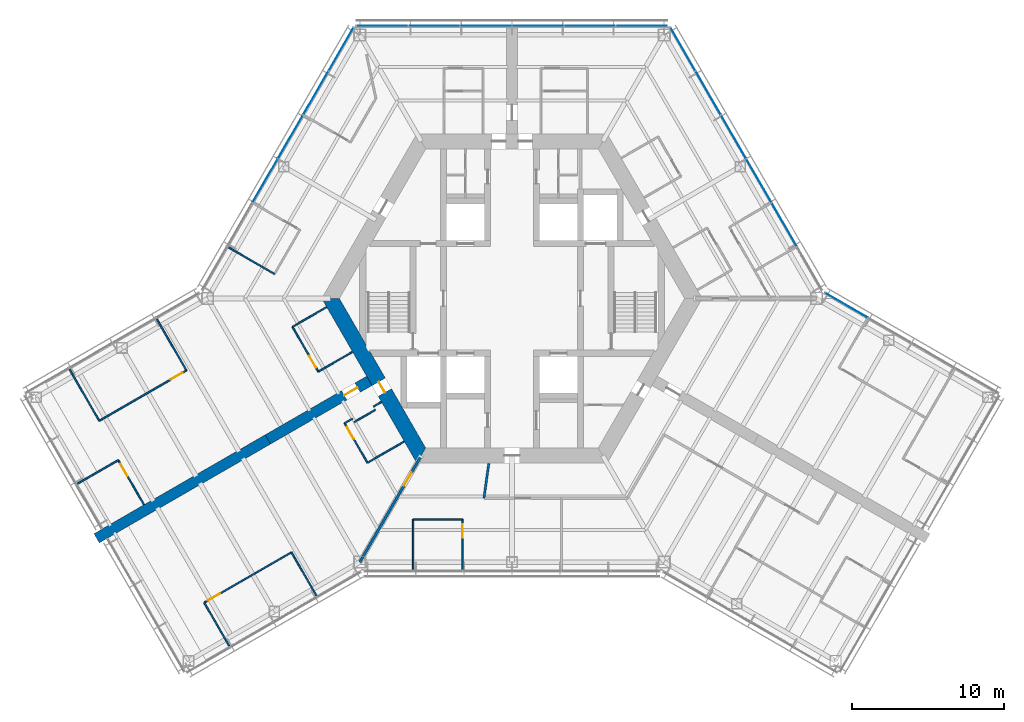
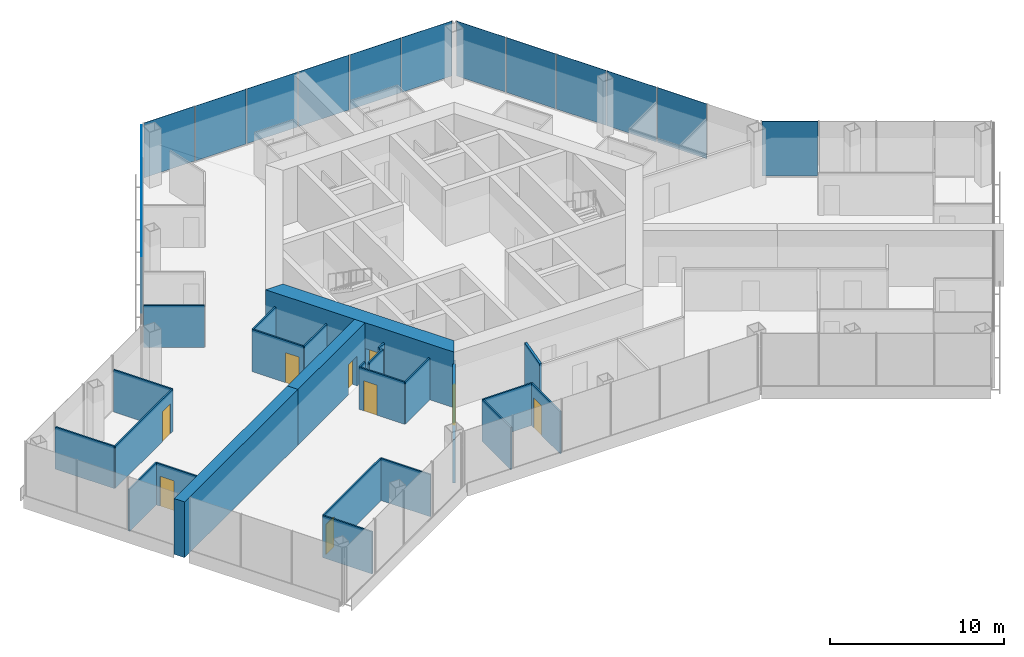
# One storey, part 11 of 18: 25 walls, 16 plates, 9 doors, 9 openings, 4 elements without a shape of their own.
"""IFC4 building model written with IfcOpenShell, lengths in metres."""

from ifc_helpers import new_model, si_unit, direction, frame, frame_2d, origin, origin_2d, place, context, subcontext, project, spatial, polyline, rectangle, outline, extrude, material, layer, layer_set, type_object, element, fill, aggregate, save


model = new_model("IFC4")

# Units and contexts
model_context = context("Model", 3, precision=1e-05, world=origin(), true_north=direction((0.0, 1.0)))
body_context = subcontext(model_context, "Body", "Model", "MODEL_VIEW")
ifc_project = project(units=[si_unit("LENGTHUNIT", "METRE"), si_unit("AREAUNIT", "SQUARE_METRE"), si_unit("VOLUMEUNIT", "CUBIC_METRE"), si_unit("PLANEANGLEUNIT", "RADIAN"), si_unit("MASSUNIT", "GRAM", prefix="KILO")], contexts=[model_context])

# Site, building, storey
site_placement = place(None, origin())
site = spatial("IfcSite", under=ifc_project, at=site_placement, CompositionType="ELEMENT")
building_placement = place(site_placement, origin())
building = spatial("IfcBuilding", under=site, at=building_placement, Name="Kasaneha Research Tower", CompositionType="ELEMENT")
storey_placement = place(building_placement, frame((0.0, 0.0, 168.199951171875)))
storey = spatial("IfcBuildingStorey", under=building, at=storey_placement, Name="L42", CompositionType="ELEMENT", Elevation=168.199951171875)

# Curtain wall, plate
ifc_material_1 = material(Name="Glass and aluminium", Category="aluminium")
curtain_wall_type = type_object("IfcCurtainWallType", Name="Mid-rise office curtain wall", PredefinedType="USERDEFINED", material=ifc_material_1)
curtain_wall_1_placement = place(storey_placement, origin())
curtain_wall_1 = element("IfcCurtainWall", 1, at=curtain_wall_1_placement, inside=storey, type_object=curtain_wall_type, Name="CW-O2 L42 run 05a", ObjectType="UNITISED CURTAIN WALL", PredefinedType="USERDEFINED")
ifc_material_2 = material(Name="Laminated double glazing", Category="glass")
ifc_layer_1 = layer(ifc_material_2, 0.02587890625)
ifc_layer_set_1 = layer_set([ifc_layer_1], Name="CW-O2 glazed panel")
plate_type = type_object("IfcPlateType", Name="CW-O2 glazed panel", PredefinedType="CURTAIN_PANEL", material=ifc_layer_set_1)
plate_1_placement = place(storey_placement, frame((21.971923828125, -0.44580078125, 0.06005859375), z_axis=(0.0, 0.0, 1.0), x_axis=(-0.866025411464, 0.499999986699, 0.0)))
plate_1 = element("IfcPlate", 2, at=plate_1_placement, type_object=plate_type, Name="CW-O2 panel 4", PredefinedType="CURTAIN_PANEL", context=body_context, shape_type="SweptSolid", body=[
    extrude(rectangle(XDim=3.2197265625, YDim=0.02587890625, at=origin_2d()), origin(), (0.0, 0.0, 1.0), 3.840087890625),
])
aggregate(curtain_wall_1, [plate_1])

# Curtain wall, plates
curtain_wall_2_placement = place(storey_placement, origin())
curtain_wall_2 = element("IfcCurtainWall", 3, at=curtain_wall_2_placement, inside=storey, type_object=curtain_wall_type, Name="CW-O2 L42 run 06a", ObjectType="UNITISED CURTAIN WALL", PredefinedType="USERDEFINED")
plate_2_placement = place(storey_placement, frame((17.89111328125, 4.852783203125, 0.06005859375), z_axis=(0.0, 0.0, 1.0), x_axis=(-0.499999979232, 0.866025415775, 0.0)))
plate_2 = element("IfcPlate", 4, at=plate_2_placement, type_object=plate_type, Name="CW-O2 panel 2", PredefinedType="CURTAIN_PANEL", context=body_context, shape_type="SweptSolid", body=[
    extrude(rectangle(XDim=3.27099609375, YDim=0.02587890625, at=origin_2d()), origin(), (0.0, 0.0, 1.0), 3.840087890625),
])
plate_3_placement = place(storey_placement, frame((16.2255859375, 7.737548828125, 0.06005859375), z_axis=(0.0, 0.0, 1.0), x_axis=(-0.499999979232, 0.866025415775, 0.0)))
plate_3 = element("IfcPlate", 5, at=plate_3_placement, type_object=plate_type, Name="CW-O2 panel 3", PredefinedType="CURTAIN_PANEL", context=body_context, shape_type="SweptSolid", body=[
    extrude(rectangle(XDim=3.27099609375, YDim=0.02587890625, at=origin_2d()), origin(), (0.0, 0.0, 1.0), 3.840087890625),
])
plate_4_placement = place(storey_placement, frame((14.56005859375, 10.622314453125, 0.06005859375), z_axis=(0.0, 0.0, 1.0), x_axis=(-0.499999979232, 0.866025415775, 0.0)))
plate_4 = element("IfcPlate", 6, at=plate_4_placement, type_object=plate_type, Name="CW-O2 panel 4", PredefinedType="CURTAIN_PANEL", context=body_context, shape_type="SweptSolid", body=[
    extrude(rectangle(XDim=3.27099609375, YDim=0.02587890625, at=origin_2d()), origin(), (0.0, 0.0, 1.0), 3.840087890625),
])
plate_5_placement = place(storey_placement, frame((12.89453125, 13.5068359375, 0.06005859375), z_axis=(0.0, 0.0, 1.0), x_axis=(-0.499999979232, 0.866025415775, 0.0)))
plate_5 = element("IfcPlate", 7, at=plate_5_placement, type_object=plate_type, Name="CW-O2 panel 5", PredefinedType="CURTAIN_PANEL", context=body_context, shape_type="SweptSolid", body=[
    extrude(rectangle(XDim=3.27099609375, YDim=0.02587890625, at=origin_2d()), origin(), (0.0, 0.0, 1.0), 3.840087890625),
])
plate_6_placement = place(storey_placement, frame((11.236572265625, 16.378662109375, 0.06005859375), z_axis=(0.0, 0.0, 1.0), x_axis=(-0.499999979232, 0.866025415775, 0.0)))
plate_6 = element("IfcPlate", 8, at=plate_6_placement, type_object=plate_type, Name="CW-O2 panel 6", PredefinedType="CURTAIN_PANEL", context=body_context, shape_type="SweptSolid", body=[
    extrude(rectangle(XDim=3.240966796875, YDim=0.02587890625, at=origin_2d()), origin(), (0.0, 0.0, 1.0), 3.840087890625),
])
aggregate(curtain_wall_2, [plate_2, plate_3, plate_4, plate_5, plate_6])

curtain_wall_3_placement = place(storey_placement, origin())
curtain_wall_3 = element("IfcCurtainWall", 9, at=curtain_wall_3_placement, inside=storey, type_object=curtain_wall_type, Name="CW-O2 L42 run 07a", ObjectType="UNITISED CURTAIN WALL", PredefinedType="USERDEFINED")
plate_7_placement = place(storey_placement, frame((8.523681640625, 17.92041015625, 0.06005859375), z_axis=(0.0, 0.0, 1.0), x_axis=(-1.0, 0.0, 0.0)))
plate_7 = element("IfcPlate", 10, at=plate_7_placement, type_object=plate_type, Name="CW-O2 panel 1", PredefinedType="CURTAIN_PANEL", context=body_context, shape_type="SweptSolid", body=[
    extrude(rectangle(XDim=3.325439453125, YDim=0.02587890625, at=origin_2d()), origin(), (0.0, 0.0, 1.0), 3.840087890625),
])
plate_8_placement = place(storey_placement, frame((5.123291015625, 17.92041015625, 0.06005859375), z_axis=(0.0, 0.0, 1.0), x_axis=(-1.0, 0.0, 0.0)))
plate_8 = element("IfcPlate", 11, at=plate_8_placement, type_object=plate_type, Name="CW-O2 panel 2", PredefinedType="CURTAIN_PANEL", context=body_context, shape_type="SweptSolid", body=[
    extrude(rectangle(XDim=3.35546875, YDim=0.02587890625, at=origin_2d()), origin(), (0.0, 0.0, 1.0), 3.840087890625),
])
plate_9_placement = place(storey_placement, frame((1.707763671875, 17.92041015625, 0.06005859375), z_axis=(0.0, 0.0, 1.0), x_axis=(-1.0, 0.0, 0.0)))
plate_9 = element("IfcPlate", 12, at=plate_9_placement, type_object=plate_type, Name="CW-O2 panel 3", PredefinedType="CURTAIN_PANEL", context=body_context, shape_type="SweptSolid", body=[
    extrude(rectangle(XDim=3.35546875, YDim=0.02587890625, at=origin_2d()), origin(), (0.0, 0.0, 1.0), 3.840087890625),
])
plate_10_placement = place(storey_placement, frame((-1.707763671875, 17.92041015625, 0.06005859375), z_axis=(0.0, 0.0, 1.0), x_axis=(-1.0, 0.0, 0.0)))
plate_10 = element("IfcPlate", 13, at=plate_10_placement, type_object=plate_type, Name="CW-O2 panel 4", PredefinedType="CURTAIN_PANEL", context=body_context, shape_type="SweptSolid", body=[
    extrude(rectangle(XDim=3.35546875, YDim=0.02587890625, at=origin_2d()), origin(), (0.0, 0.0, 1.0), 3.840087890625),
])
plate_11_placement = place(storey_placement, frame((-5.123291015625, 17.92041015625, 0.06005859375), z_axis=(0.0, 0.0, 1.0), x_axis=(-1.0, 0.0, 0.0)))
plate_11 = element("IfcPlate", 14, at=plate_11_placement, type_object=plate_type, Name="CW-O2 panel 5", PredefinedType="CURTAIN_PANEL", context=body_context, shape_type="SweptSolid", body=[
    extrude(rectangle(XDim=3.35546875, YDim=0.02587890625, at=origin_2d()), origin(), (0.0, 0.0, 1.0), 3.840087890625),
])
plate_12_placement = place(storey_placement, frame((-8.523681640625, 17.92041015625, 0.06005859375), z_axis=(0.0, 0.0, 1.0), x_axis=(-1.0, 0.0, 0.0)))
plate_12 = element("IfcPlate", 15, at=plate_12_placement, type_object=plate_type, Name="CW-O2 panel 6", PredefinedType="CURTAIN_PANEL", context=body_context, shape_type="SweptSolid", body=[
    extrude(rectangle(XDim=3.325439453125, YDim=0.02587890625, at=origin_2d()), origin(), (0.0, 0.0, 1.0), 3.840087890625),
])
aggregate(curtain_wall_3, [plate_7, plate_8, plate_9, plate_10, plate_11, plate_12])

curtain_wall_4_placement = place(storey_placement, origin())
curtain_wall_4 = element("IfcCurtainWall", 16, at=curtain_wall_4_placement, inside=storey, type_object=curtain_wall_type, Name="CW-O2 L42 run 08a", ObjectType="UNITISED CURTAIN WALL", PredefinedType="USERDEFINED")
plate_13_placement = place(storey_placement, frame((-11.236572265625, 16.378662109375, 0.06005859375), z_axis=(0.0, 0.0, 1.0), x_axis=(-0.499999979232, -0.866025415775, 0.0)))
plate_13 = element("IfcPlate", 17, at=plate_13_placement, type_object=plate_type, Name="CW-O2 panel 1", PredefinedType="CURTAIN_PANEL", context=body_context, shape_type="SweptSolid", body=[
    extrude(rectangle(XDim=3.240966796875, YDim=0.02587890625, at=origin_2d()), origin(), (0.0, 0.0, 1.0), 3.840087890625),
])
plate_14_placement = place(storey_placement, frame((-12.89453125, 13.5068359375, 0.06005859375), z_axis=(0.0, 0.0, 1.0), x_axis=(-0.499999979232, -0.866025415775, 0.0)))
plate_14 = element("IfcPlate", 18, at=plate_14_placement, type_object=plate_type, Name="CW-O2 panel 2", PredefinedType="CURTAIN_PANEL", context=body_context, shape_type="SweptSolid", body=[
    extrude(rectangle(XDim=3.27099609375, YDim=0.02587890625, at=origin_2d()), origin(), (0.0, 0.0, 1.0), 3.840087890625),
])
plate_15_placement = place(storey_placement, frame((-14.56005859375, 10.622314453125, 0.06005859375), z_axis=(0.0, 0.0, 1.0), x_axis=(-0.499999979232, -0.866025415775, 0.0)))
plate_15 = element("IfcPlate", 19, at=plate_15_placement, type_object=plate_type, Name="CW-O2 panel 3", PredefinedType="CURTAIN_PANEL", context=body_context, shape_type="SweptSolid", body=[
    extrude(rectangle(XDim=3.27099609375, YDim=0.02587890625, at=origin_2d()), origin(), (0.0, 0.0, 1.0), 3.840087890625),
])
plate_16_placement = place(storey_placement, frame((-16.2255859375, 7.737548828125, 0.06005859375), z_axis=(0.0, 0.0, 1.0), x_axis=(-0.499999979232, -0.866025415775, 0.0)))
plate_16 = element("IfcPlate", 20, at=plate_16_placement, type_object=plate_type, Name="CW-O2 panel 4", PredefinedType="CURTAIN_PANEL", context=body_context, shape_type="SweptSolid", body=[
    extrude(rectangle(XDim=3.27099609375, YDim=0.02587890625, at=origin_2d()), origin(), (0.0, 0.0, 1.0), 3.840087890625),
])
aggregate(curtain_wall_4, [plate_13, plate_14, plate_15, plate_16])

# Wall, opening, door
ifc_material_3 = material(Name="Concrete Fc70", Category="concrete")
ifc_layer_2 = layer(ifc_material_3, 1.0)
ifc_layer_set_2 = layer_set([ifc_layer_2], Name="Core wall 1000 Fc70")
wall_type_1 = type_object("IfcWallType", Name="Core wall 1000 Fc70", PredefinedType="SHEAR", material=ifc_layer_set_2)
wall_1_placement = place(storey_placement, frame((-11.92236328125, 0.0, 0.0), z_axis=(0.0, 0.0, 1.0), x_axis=(0.500004296715, -0.866022923061, 0.0)))
wall_1 = element("IfcWall", 21, at=wall_1_placement, inside=storey, type_object=wall_type_1, Name="Core wall 210 L42", PredefinedType="SHEAR", context=body_context, shape_type="SweptSolid", body=[
    extrude(outline(polyline([(-0.28857421875, -0.5), (6.3310546875, -0.5), (7.131103515625, -0.5), (12.2109375, -0.5), (11.6337890625, 0.5), (7.131103515625, 0.5), (6.3310546875, 0.5), (0.28857421875, 0.5), (-0.28857421875, -0.5)])), origin(), (0.0, 0.0, 1.0), 3.900146484375),
])
opening_1_placement = place(wall_1_placement, frame((6.3310546875, 0.0, 0.0)))
opening_1 = element("IfcOpeningElement", 22, at=opening_1_placement, cuts=wall_1, Name="Opening L42-D06", PredefinedType="OPENING", context=body_context, shape_type="SweptSolid", body=[
    extrude(rectangle(XDim=0.800048828125, YDim=2.10009765625, at=frame_2d((0.39990234375, 1.050048828125))), frame((0.0, 0.510009765625, 0.0), z_axis=(0.0, -1.0, 0.0), x_axis=(1.0, 0.0, 0.0)), (0.0, 0.0, 1.0), 1.02001953125),
])
ifc_material_4 = material(Name="Steel", Category="steel")
door_type_1 = type_object("IfcDoorType", Name="Riser access door FD60 800x2100", OperationType="NOTDEFINED", PredefinedType="DOOR", material=ifc_material_4)
door_1_placement = place(opening_1_placement, origin())
door_1 = element("IfcDoor", 23, at=door_1_placement, inside=storey, type_object=door_type_1, Name="Duct riser door L42-D06", OperationType="SINGLE_SWING_RIGHT", OverallHeight=2.10009765625, OverallWidth=0.800048828125, PredefinedType="DOOR", context=body_context, shape_type="SweptSolid", body=[
    extrude(rectangle(XDim=0.800048828125, YDim=2.10009765625, at=frame_2d((0.39990234375, 1.050048828125))), frame((0.0, 0.02490234375, 0.0), z_axis=(0.0, -1.0, 0.0), x_axis=(1.0, 0.0, 0.0)), (0.0, 0.0, 1.0), 0.050048828125),
])
fill(opening_1, door_1)

# Walls
ifc_material_5 = material(Name="Gypsum board on steel studs, one layer each side", Category="steel")
ifc_layer_3 = layer(ifc_material_5, 0.10009765625)
ifc_layer_set_3 = layer_set([ifc_layer_3], Name="Office partition 100")
wall_type_2 = type_object("IfcWallType", Name="Office partition 100", PredefinedType="PARTITIONING", material=ifc_layer_set_3)
wall_2_placement = place(storey_placement, frame((-15.606201171875, 1.610595703125, 0.0), z_axis=(0.0, 0.0, 1.0), x_axis=(-0.86601968407, 0.500009906705, 0.0)))
element("IfcWall", 24, at=wall_2_placement, inside=storey, type_object=wall_type_2, Name="Office partition FBN05 L42", PredefinedType="PARTITIONING", context=body_context, shape_type="SweptSolid", body=[
    extrude(rectangle(XDim=3.47998046875, YDim=0.10009765625, at=frame_2d((1.739990234375, 0.0))), origin(), (0.0, 0.0, 1.0), 2.949951171875),
])
wall_3_placement = place(storey_placement, frame((-27.125, -8.03955078125, 0.0), z_axis=(0.0, 0.0, 1.0), x_axis=(-0.499978621081, 0.866037746557, 0.0)))
element("IfcWall", 25, at=wall_3_placement, inside=storey, type_object=wall_type_2, Name="Office partition FBN07 L42", PredefinedType="PARTITIONING", context=body_context, shape_type="SweptSolid", body=[
    extrude(rectangle(XDim=3.905029296875, YDim=0.10009765625, at=frame_2d((1.95263671875, 0.0))), origin(), (0.0, 0.0, 1.0), 2.949951171875),
])
wall_4_placement = place(storey_placement, frame((-23.332275390625, -1.36962890625, 0.0), z_axis=(0.0, 0.0, 1.0), x_axis=(0.500043804875, -0.866000111551, 0.0)))
element("IfcWall", 26, at=wall_4_placement, inside=storey, type_object=wall_type_2, Name="Office partition FBN08 L42", PredefinedType="PARTITIONING", context=body_context, shape_type="SweptSolid", body=[
    extrude(rectangle(XDim=3.880126953125, YDim=0.10009765625, at=frame_2d((1.93994140625, 0.0))), origin(), (0.0, 0.0, 1.0), 2.949951171875),
])

# Wall, opening, door
wall_5_placement = place(storey_placement, frame((-21.39208984375, -4.729736328125, 0.0), z_axis=(0.0, 0.0, 1.0), x_axis=(-0.866030817826, -0.499990622488, 0.0)))
wall_5 = element("IfcWall", 27, at=wall_5_placement, inside=storey, type_object=wall_type_2, Name="Office partition FBN09 L42", PredefinedType="PARTITIONING", context=body_context, shape_type="SweptSolid", body=[
    extrude(rectangle(XDim=6.619873046875, YDim=0.10009765625, at=frame_2d((3.31005859375, 0.0))), origin(), (0.0, 0.0, 1.0), 2.949951171875),
])
opening_2_placement = place(wall_5_placement, frame((0.300048828125, 0.0, 0.0)))
opening_2 = element("IfcOpeningElement", 28, at=opening_2_placement, cuts=wall_5, Name="Opening L42-D37", PredefinedType="OPENING", context=body_context, shape_type="SweptSolid", body=[
    extrude(rectangle(XDim=0.89990234375, YDim=2.10009765625, at=frame_2d((0.449951171875, 1.050048828125))), frame((0.0, 0.06005859375, 0.0), z_axis=(0.0, -1.0, 0.0), x_axis=(1.0, 0.0, 0.0)), (0.0, 0.0, 1.0), 0.1201171875),
])
ifc_material_6 = material(Name="Timber veneer", Category="wood")
door_type_2 = type_object("IfcDoorType", Name="Office door 900x2100", OperationType="SINGLE_SWING_LEFT", PredefinedType="DOOR", material=ifc_material_6)
door_2_placement = place(opening_2_placement, origin())
door_2 = element("IfcDoor", 29, at=door_2_placement, inside=storey, type_object=door_type_2, Name="Meeting room door L42-D37", OperationType="SINGLE_SWING_LEFT", OverallHeight=2.10009765625, OverallWidth=0.89990234375, PredefinedType="DOOR", context=body_context, shape_type="SweptSolid", body=[
    extrude(rectangle(XDim=0.89990234375, YDim=2.10009765625, at=frame_2d((0.449951171875, 1.050048828125))), frame((0.0, 0.02490234375, 0.0), z_axis=(0.0, -1.0, 0.0), x_axis=(1.0, 0.0, 0.0)), (0.0, 0.0, 1.0), 0.050048828125),
])
fill(opening_2, door_2)

# Wall
wall_6_placement = place(storey_placement, frame((-14.426513671875, -1.86279296875, 0.0), z_axis=(0.0, 0.0, 1.0), x_axis=(0.866045356598, 0.49996543912, 0.0)))
element("IfcWall", 30, at=wall_6_placement, inside=storey, type_object=wall_type_2, Name="Office partition FBN10 L42", PredefinedType="PARTITIONING", context=body_context, shape_type="SweptSolid", body=[
    extrude(rectangle(XDim=2.580322265625, YDim=0.10009765625, at=frame_2d((1.2900390625, 0.0))), origin(), (0.0, 0.0, 1.0), 2.949951171875),
])

# Wall, opening, door
wall_7_placement = place(storey_placement, frame((-12.726318359375, -4.80712890625, 0.0), z_axis=(0.0, 0.0, 1.0), x_axis=(-0.500062241894, 0.865989465428, 0.0)))
wall_7 = element("IfcWall", 31, at=wall_7_placement, inside=storey, type_object=wall_type_2, Name="Office partition FBN11 L42", PredefinedType="PARTITIONING", context=body_context, shape_type="SweptSolid", body=[
    extrude(rectangle(XDim=3.39990234375, YDim=0.10009765625, at=frame_2d((1.699951171875, 0.0))), origin(), (0.0, 0.0, 1.0), 2.949951171875),
])
opening_3_placement = place(wall_7_placement, frame((0.300048828125, 0.0, 0.0)))
opening_3 = element("IfcOpeningElement", 32, at=opening_3_placement, cuts=wall_7, Name="Opening L42-D38", PredefinedType="OPENING", context=body_context, shape_type="SweptSolid", body=[
    extrude(rectangle(XDim=0.89990234375, YDim=2.10009765625, at=frame_2d((0.449951171875, 1.050048828125))), frame((0.0, 0.06005859375, 0.0), z_axis=(0.0, -1.0, 0.0), x_axis=(1.0, 0.0, 0.0)), (0.0, 0.0, 1.0), 0.1201171875),
])
door_3_placement = place(opening_3_placement, origin())
door_3 = element("IfcDoor", 33, at=door_3_placement, inside=storey, type_object=door_type_2, Name="Phone room door L42-D38", OperationType="SINGLE_SWING_LEFT", OverallHeight=2.10009765625, OverallWidth=0.89990234375, PredefinedType="DOOR", context=body_context, shape_type="SweptSolid", body=[
    extrude(rectangle(XDim=0.89990234375, YDim=2.10009765625, at=frame_2d((0.449951171875, 1.050048828125))), frame((0.0, 0.02490234375, 0.0), z_axis=(0.0, -1.0, 0.0), x_axis=(1.0, 0.0, 0.0)), (0.0, 0.0, 1.0), 0.050048828125),
])
fill(opening_3, door_3)

# Walls
wall_8_placement = place(storey_placement, frame((-10.491943359375, -3.51708984375, 0.0), z_axis=(0.0, 0.0, 1.0), x_axis=(-0.866021702275, -0.500006411147, 0.0)))
element("IfcWall", 34, at=wall_8_placement, inside=storey, type_object=wall_type_2, Name="Office partition FBN12 L42", PredefinedType="PARTITIONING", context=body_context, shape_type="SweptSolid", body=[
    extrude(rectangle(XDim=2.580078125, YDim=0.10009765625, at=frame_2d((1.2900390625, 0.0))), origin(), (0.0, 0.0, 1.0), 2.949951171875),
])
wall_9_placement = place(storey_placement, frame((-28.5625, -12.1796875, 0.0), z_axis=(0.0, 0.0, 1.0), x_axis=(0.866042875753, 0.499969736442, 0.0)))
element("IfcWall", 35, at=wall_9_placement, inside=storey, type_object=wall_type_2, Name="Office partition FBN13 L42", PredefinedType="PARTITIONING", context=body_context, shape_type="SweptSolid", body=[
    extrude(rectangle(XDim=3.105224609375, YDim=0.10009765625, at=frame_2d((1.552734375, 0.0))), origin(), (0.0, 0.0, 1.0), 2.949951171875),
])

# Wall, opening, door
wall_10_placement = place(storey_placement, frame((-25.873291015625, -10.627197265625, 0.0), z_axis=(0.0, 0.0, 1.0), x_axis=(0.5000115033, -0.866018762249, 0.0)))
wall_10 = element("IfcWall", 36, at=wall_10_placement, inside=storey, type_object=wall_type_2, Name="Office partition FBN14 L42", PredefinedType="PARTITIONING", context=body_context, shape_type="SweptSolid", body=[
    extrude(rectangle(XDim=3.36328125, YDim=0.10009765625, at=frame_2d((1.681640625, 0.0))), origin(), (0.0, 0.0, 1.0), 2.949951171875),
])
opening_4_placement = place(wall_10_placement, frame((0.300048828125, 0.0, 0.0)))
opening_4 = element("IfcOpeningElement", 37, at=opening_4_placement, cuts=wall_10, Name="Opening L42-D39", PredefinedType="OPENING", context=body_context, shape_type="SweptSolid", body=[
    extrude(rectangle(XDim=0.89990234375, YDim=2.10009765625, at=frame_2d((0.449951171875, 1.050048828125))), frame((0.0, 0.06005859375, 0.0), z_axis=(0.0, -1.0, 0.0), x_axis=(1.0, 0.0, 0.0)), (0.0, 0.0, 1.0), 0.1201171875),
])
door_4_placement = place(opening_4_placement, origin())
door_4 = element("IfcDoor", 38, at=door_4_placement, inside=storey, type_object=door_type_2, Name="Workroom door L42-D39", OperationType="SINGLE_SWING_LEFT", OverallHeight=2.10009765625, OverallWidth=0.89990234375, PredefinedType="DOOR", context=body_context, shape_type="SweptSolid", body=[
    extrude(rectangle(XDim=0.89990234375, YDim=2.10009765625, at=frame_2d((0.449951171875, 1.050048828125))), frame((0.0, 0.02490234375, 0.0), z_axis=(0.0, -1.0, 0.0), x_axis=(1.0, 0.0, 0.0)), (0.0, 0.0, 1.0), 0.050048828125),
])
fill(opening_4, door_4)

# Walls
wall_11_placement = place(storey_placement, frame((-10.99951171875, -8.197998046875, 0.0), z_axis=(0.0, 0.0, 1.0), x_axis=(0.866131372301, 0.499816412211, 0.0)))
element("IfcWall", 39, at=wall_11_placement, inside=storey, type_object=wall_type_2, Name="Office partition FBS01 L42", PredefinedType="PARTITIONING", context=body_context, shape_type="SweptSolid", body=[
    extrude(rectangle(XDim=0.599853515625, YDim=0.10009765625, at=frame_2d((0.2998046875, 0.0))), origin(), (0.0, 0.0, 1.0), 2.949951171875),
])
wall_12_placement = place(storey_placement, frame((-10.35498046875, -8.114501953125, 0.0), z_axis=(0.0, 0.0, 1.0), x_axis=(0.866094119867, 0.499880961361, 0.0)))
element("IfcWall", 40, at=wall_12_placement, inside=storey, type_object=wall_type_2, Name="Office partition FBS02 L42", PredefinedType="PARTITIONING", context=body_context, shape_type="SweptSolid", body=[
    extrude(rectangle(XDim=1.60009765625, YDim=0.10009765625, at=frame_2d((0.800048828125, 0.0))), origin(), (0.0, 0.0, 1.0), 2.949951171875),
])

# Wall, opening, door
wall_13_placement = place(storey_placement, frame((-9.49951171875, -10.796142578125, 0.0), z_axis=(0.0, 0.0, 1.0), x_axis=(-0.499990139034, 0.866031096941, 0.0)))
wall_13 = element("IfcWall", 41, at=wall_13_placement, inside=storey, type_object=wall_type_2, Name="Office partition FBS03 L42", PredefinedType="PARTITIONING", context=body_context, shape_type="SweptSolid", body=[
    extrude(rectangle(XDim=3.0, YDim=0.10009765625, at=frame_2d((1.5, 0.0))), origin(), (0.0, 0.0, 1.0), 2.949951171875),
])
opening_5_placement = place(wall_13_placement, frame((1.800048828125, 0.0, 0.0)))
opening_5 = element("IfcOpeningElement", 42, at=opening_5_placement, cuts=wall_13, Name="Opening L42-D40", PredefinedType="OPENING", context=body_context, shape_type="SweptSolid", body=[
    extrude(rectangle(XDim=0.89990234375, YDim=2.10009765625, at=frame_2d((0.449951171875, 1.050048828125))), frame((0.0, 0.06005859375, 0.0), z_axis=(0.0, -1.0, 0.0), x_axis=(1.0, 0.0, 0.0)), (0.0, 0.0, 1.0), 0.1201171875),
])
door_5_placement = place(opening_5_placement, origin())
door_5 = element("IfcDoor", 43, at=door_5_placement, inside=storey, type_object=door_type_2, Name="Pantry door L42-D40", OperationType="SINGLE_SWING_RIGHT", OverallHeight=2.10009765625, OverallWidth=0.89990234375, PredefinedType="DOOR", context=body_context, shape_type="SweptSolid", body=[
    extrude(rectangle(XDim=0.89990234375, YDim=2.10009765625, at=frame_2d((0.449951171875, 1.050048828125))), frame((0.0, 0.02490234375, 0.0), z_axis=(0.0, -1.0, 0.0), x_axis=(1.0, 0.0, 0.0)), (0.0, 0.0, 1.0), 0.050048828125),
])
fill(opening_5, door_5)

# Walls
wall_14_placement = place(storey_placement, frame((-9.09423828125, -7.09814453125, 0.0), z_axis=(0.0, 0.0, 1.0), x_axis=(0.865954211699, 0.50012328804, 0.0)))
element("IfcWall", 44, at=wall_14_placement, inside=storey, type_object=wall_type_2, Name="Office partition FBS04 L42", PredefinedType="PARTITIONING", context=body_context, shape_type="SweptSolid", body=[
    extrude(rectangle(XDim=0.579833984375, YDim=0.10009765625, at=frame_2d((0.2900390625, 0.0))), origin(), (0.0, 0.0, 1.0), 2.949951171875),
])
wall_15_placement = place(storey_placement, frame((-7.092041015625, -9.40625, 0.0), z_axis=(0.0, 0.0, 1.0), x_axis=(-0.86603494908, -0.499983466698, 0.0)))
element("IfcWall", 45, at=wall_15_placement, inside=storey, type_object=wall_type_2, Name="Office partition FBS05 L42", PredefinedType="PARTITIONING", context=body_context, shape_type="SweptSolid", body=[
    extrude(rectangle(XDim=2.77978515625, YDim=0.10009765625, at=frame_2d((1.389892578125, 0.0))), origin(), (0.0, 0.0, 1.0), 2.949951171875),
])

# Wall, opening, door
wall_16_placement = place(storey_placement, frame((-20.22509765625, -19.99072265625, 0.0), z_axis=(0.0, 0.0, 1.0), x_axis=(0.866030817826, 0.499990622488, 0.0)))
wall_16 = element("IfcWall", 46, at=wall_16_placement, inside=storey, type_object=wall_type_2, Name="Office partition FBS06 L42", PredefinedType="PARTITIONING", context=body_context, shape_type="SweptSolid", body=[
    extrude(rectangle(XDim=6.619873046875, YDim=0.10009765625, at=frame_2d((3.31005859375, 0.0))), origin(), (0.0, 0.0, 1.0), 2.949951171875),
])
opening_6_placement = place(wall_16_placement, frame((0.300048828125, 0.0, 0.0)))
opening_6 = element("IfcOpeningElement", 47, at=opening_6_placement, cuts=wall_16, Name="Opening L42-D41", PredefinedType="OPENING", context=body_context, shape_type="SweptSolid", body=[
    extrude(rectangle(XDim=0.89990234375, YDim=2.10009765625, at=frame_2d((0.449951171875, 1.050048828125))), frame((0.0, 0.06005859375, 0.0), z_axis=(0.0, -1.0, 0.0), x_axis=(1.0, 0.0, 0.0)), (0.0, 0.0, 1.0), 0.1201171875),
])
door_6_placement = place(opening_6_placement, origin())
door_6 = element("IfcDoor", 48, at=door_6_placement, inside=storey, type_object=door_type_2, Name="Manager's office door L42-D41", OperationType="SINGLE_SWING_LEFT", OverallHeight=2.10009765625, OverallWidth=0.89990234375, PredefinedType="DOOR", context=body_context, shape_type="SweptSolid", body=[
    extrude(rectangle(XDim=0.89990234375, YDim=2.10009765625, at=frame_2d((0.449951171875, 1.050048828125))), frame((0.0, 0.02490234375, 0.0), z_axis=(0.0, -1.0, 0.0), x_axis=(1.0, 0.0, 0.0)), (0.0, 0.0, 1.0), 0.050048828125),
])
fill(opening_6, door_6)

# Walls
wall_17_placement = place(storey_placement, frame((-18.5849609375, -22.831298828125, 0.0), z_axis=(0.0, 0.0, 1.0), x_axis=(-0.50002956483, 0.866008333849, 0.0)))
element("IfcWall", 49, at=wall_17_placement, inside=storey, type_object=wall_type_2, Name="Office partition FBS07 L42", PredefinedType="PARTITIONING", context=body_context, shape_type="SweptSolid", body=[
    extrude(rectangle(XDim=3.280029296875, YDim=0.10009765625, at=frame_2d((1.64013671875, 0.0))), origin(), (0.0, 0.0, 1.0), 2.949951171875),
])
wall_18_placement = place(storey_placement, frame((-14.4921875, -16.680908203125, 0.0), z_axis=(0.0, 0.0, 1.0), x_axis=(0.500008057651, -0.866020751647, 0.0)))
element("IfcWall", 50, at=wall_18_placement, inside=storey, type_object=wall_type_2, Name="Office partition FBS08 L42", PredefinedType="PARTITIONING", context=body_context, shape_type="SweptSolid", body=[
    extrude(rectangle(XDim=3.30517578125, YDim=0.10009765625, at=frame_2d((1.652587890625, 0.0))), origin(), (0.0, 0.0, 1.0), 2.949951171875),
])
wall_19_placement = place(storey_placement, frame((-6.492919921875, -17.800537109375, 0.0), z_axis=(0.0, 0.0, 1.0), x_axis=(0.0, 1.0, 0.0)))
element("IfcWall", 51, at=wall_19_placement, inside=storey, type_object=wall_type_2, Name="Office partition FCS12 L42", PredefinedType="PARTITIONING", context=body_context, shape_type="SweptSolid", body=[
    extrude(rectangle(XDim=3.280029296875, YDim=0.10009765625, at=frame_2d((1.64013671875, 0.0))), origin(), (0.0, 0.0, 1.0), 2.949951171875),
])
wall_20_placement = place(storey_placement, frame((-6.492919921875, -14.5205078125, 0.0), z_axis=(0.0, 0.0, 1.0), x_axis=(1.0, 0.0, 0.0)))
element("IfcWall", 52, at=wall_20_placement, inside=storey, type_object=wall_type_2, Name="Office partition FCS13 L42", PredefinedType="PARTITIONING", context=body_context, shape_type="SweptSolid", body=[
    extrude(rectangle(XDim=3.24658203125, YDim=0.10009765625, at=frame_2d((1.623291015625, 0.0))), origin(), (0.0, 0.0, 1.0), 2.949951171875),
])

# Wall, opening, door
wall_21_placement = place(storey_placement, frame((-3.246337890625, -14.5205078125, 0.0), z_axis=(0.0, 0.0, 1.0), x_axis=(0.0, -1.0, 0.0)))
wall_21 = element("IfcWall", 53, at=wall_21_placement, inside=storey, type_object=wall_type_2, Name="Office partition FCS14 L42", PredefinedType="PARTITIONING", context=body_context, shape_type="SweptSolid", body=[
    extrude(rectangle(XDim=3.330078125, YDim=0.10009765625, at=frame_2d((1.6650390625, 0.0))), origin(), (0.0, 0.0, 1.0), 2.949951171875),
])
opening_7_placement = place(wall_21_placement, frame((0.300048828125, 0.0, 0.0)))
opening_7 = element("IfcOpeningElement", 54, at=opening_7_placement, cuts=wall_21, Name="Opening L42-D48", PredefinedType="OPENING", context=body_context, shape_type="SweptSolid", body=[
    extrude(rectangle(XDim=0.89990234375, YDim=2.10009765625, at=frame_2d((0.449951171875, 1.050048828125))), frame((0.0, 0.06005859375, 0.0), z_axis=(0.0, -1.0, 0.0), x_axis=(1.0, 0.0, 0.0)), (0.0, 0.0, 1.0), 0.1201171875),
])
door_7_placement = place(opening_7_placement, origin())
door_7 = element("IfcDoor", 55, at=door_7_placement, inside=storey, type_object=door_type_2, Name="Manager's office door L42-D48", OperationType="SINGLE_SWING_LEFT", OverallHeight=2.10009765625, OverallWidth=0.89990234375, PredefinedType="DOOR", context=body_context, shape_type="SweptSolid", body=[
    extrude(rectangle(XDim=0.89990234375, YDim=2.10009765625, at=frame_2d((0.449951171875, 1.050048828125))), frame((0.0, 0.02490234375, 0.0), z_axis=(0.0, -1.0, 0.0), x_axis=(1.0, 0.0, 0.0)), (0.0, 0.0, 1.0), 0.050048828125),
])
fill(opening_7, door_7)

ifc_material_7 = material(Name="Concrete Fc70", Category="concrete")
ifc_layer_4 = layer(ifc_material_7, 0.699951171875)
ifc_layer_set_4 = layer_set([ifc_layer_4], Name="Spine wall 700 Fc70")
wall_type_3 = type_object("IfcWallType", Name="Spine wall 700 Fc70", PredefinedType="SHEAR", material=ifc_layer_set_4)
wall_22_placement = place(storey_placement, frame((-9.374755859375, -5.41259765625, 0.0), z_axis=(0.0, 0.0, 1.0), x_axis=(-0.866032377459, -0.499987921047, 0.0)))
wall_22 = element("IfcWall", 56, at=wall_22_placement, inside=storey, type_object=wall_type_3, Name="Spine wall B L42", PredefinedType="SHEAR", context=body_context, shape_type="SweptSolid", body=[
    extrude(rectangle(XDim=7.695556640625, YDim=0.699951171875, at=frame_2d((3.84765625, 0.0))), origin(), (0.0, 0.0, 1.0), 3.900146484375),
])
opening_8_placement = place(wall_22_placement, frame((0.89990234375, 0.0, 0.0)))
opening_8 = element("IfcOpeningElement", 57, at=opening_8_placement, cuts=wall_22, Name="Opening L42-D18", PredefinedType="OPENING", context=body_context, shape_type="SweptSolid", body=[
    extrude(rectangle(XDim=1.0, YDim=2.10009765625, at=frame_2d((0.5, 1.050048828125))), frame((0.0, 0.35986328125, 0.0), z_axis=(0.0, -1.0, 0.0), x_axis=(1.0, 0.0, 0.0)), (0.0, 0.0, 1.0), 0.719970703125),
])
ifc_material_8 = material(Name="Steel", Category="steel")
door_type_3 = type_object("IfcDoorType", Name="Specified fire door FD60 1000x2100", OperationType="NOTDEFINED", PredefinedType="DOOR", material=ifc_material_8)
door_8_placement = place(opening_8_placement, origin())
door_8 = element("IfcDoor", 58, at=door_8_placement, inside=storey, type_object=door_type_3, Name="Spine doorway B L42-D18", OperationType="SINGLE_SWING_LEFT", OverallHeight=2.10009765625, OverallWidth=1.0, PredefinedType="DOOR", context=body_context, shape_type="SweptSolid", body=[
    extrude(rectangle(XDim=1.0, YDim=2.10009765625, at=frame_2d((0.5, 1.050048828125))), frame((0.0, 0.02490234375, 0.0), z_axis=(0.0, -1.0, 0.0), x_axis=(1.0, 0.0, 0.0)), (0.0, 0.0, 1.0), 0.050048828125),
])
fill(opening_8, door_8)

# Walls
wall_23_placement = place(storey_placement, frame((-16.039306640625, -9.26025390625, 0.0), z_axis=(0.0, 0.0, 1.0), x_axis=(-0.866024837091, -0.50000098154, 0.0)))
element("IfcWall", 59, at=wall_23_placement, inside=storey, type_object=wall_type_3, Name="Spine wall B wing L42", PredefinedType="SHEAR", context=body_context, shape_type="SweptSolid", body=[
    extrude(rectangle(XDim=13.0, YDim=0.699951171875, at=frame_2d((6.5, 0.0))), origin(), (0.0, 0.0, 1.0), 3.900146484375),
])
ifc_material_9 = material(Name="Gypsum board on steel studs, two layers each side", Category="steel")
ifc_layer_5 = layer(ifc_material_9, 0.14990234375)
ifc_layer_set_5 = layer_set([ifc_layer_5], Name="Suite partition 150")
wall_type_4 = type_object("IfcWallType", Name="Suite partition 150", PredefinedType="PARTITIONING", material=ifc_layer_set_5)
wall_24_placement = place(storey_placement, frame((-1.844482421875, -13.125, 0.0), z_axis=(0.0, 0.0, 1.0), x_axis=(0.139119980631, 0.990275532864, 0.0)))
element("IfcWall", 60, at=wall_24_placement, inside=storey, type_object=wall_type_4, Name="Suite partition FCS04 L42", PredefinedType="PARTITIONING", context=body_context, shape_type="SweptSolid", body=[
    extrude(rectangle(XDim=2.302490234375, YDim=0.14990234375, at=frame_2d((1.1513671875, 0.0))), origin(), (0.0, 0.0, 1.0), 2.949951171875),
])

# Wall, opening, door
ifc_material_10 = material(Name="Gypsum board on steel studs, two layers each side", Category="steel")
ifc_layer_6 = layer(ifc_material_10, 0.175048828125)
ifc_layer_set_6 = layer_set([ifc_layer_6], Name="Tenancy fire partition 175")
wall_type_5 = type_object("IfcWallType", Name="Tenancy fire partition 175", PredefinedType="PARTITIONING", material=ifc_layer_set_6)
wall_25_placement = place(storey_placement, frame((-6.034912109375, -10.45263671875, 0.0), z_axis=(0.0, 0.0, 1.0), x_axis=(-0.499989830942, -0.866031274813, 0.0)))
wall_25 = element("IfcWall", 61, at=wall_25_placement, inside=storey, type_object=wall_type_5, Name="Tenancy fire partition T240 L42", PredefinedType="PARTITIONING", context=body_context, shape_type="SweptSolid", body=[
    extrude(rectangle(XDim=7.930419921875, YDim=0.175048828125, at=frame_2d((3.96533203125, 0.0))), origin(), (0.0, 0.0, 1.0), 3.050048828125),
])
opening_9_placement = place(wall_25_placement, frame((1.1298828125, 0.0, 0.0)))
opening_9 = element("IfcOpeningElement", 62, at=opening_9_placement, cuts=wall_25, Name="Opening L42-D26", PredefinedType="OPENING", context=body_context, shape_type="SweptSolid", body=[
    extrude(rectangle(XDim=1.0, YDim=2.10009765625, at=frame_2d((0.5, 1.050048828125))), frame((0.0, 0.09765625, 0.0), z_axis=(0.0, -1.0, 0.0), x_axis=(1.0, 0.0, 0.0)), (0.0, 0.0, 1.0), 0.195068359375),
])
ifc_material_11 = material(Name="Steel", Category="steel")
door_type_4 = type_object("IfcDoorType", Name="Suite entrance door FD60 1000x2100", OperationType="NOTDEFINED", PredefinedType="DOOR", material=ifc_material_11)
door_9_placement = place(opening_9_placement, origin())
door_9 = element("IfcDoor", 63, at=door_9_placement, inside=storey, type_object=door_type_4, Name="Connecting door L42-D26", OperationType="SINGLE_SWING_LEFT", OverallHeight=2.10009765625, OverallWidth=1.0, PredefinedType="DOOR", context=body_context, shape_type="SweptSolid", body=[
    extrude(rectangle(XDim=1.0, YDim=2.10009765625, at=frame_2d((0.5, 1.050048828125))), frame((0.0, 0.02490234375, 0.0), z_axis=(0.0, -1.0, 0.0), x_axis=(1.0, 0.0, 0.0)), (0.0, 0.0, 1.0), 0.050048828125),
])
fill(opening_9, door_9)

save(model, "model.ifc")
